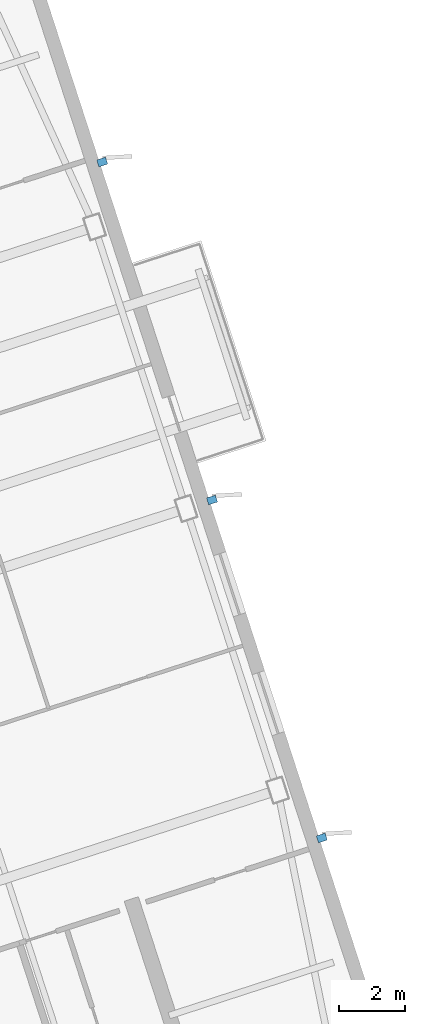
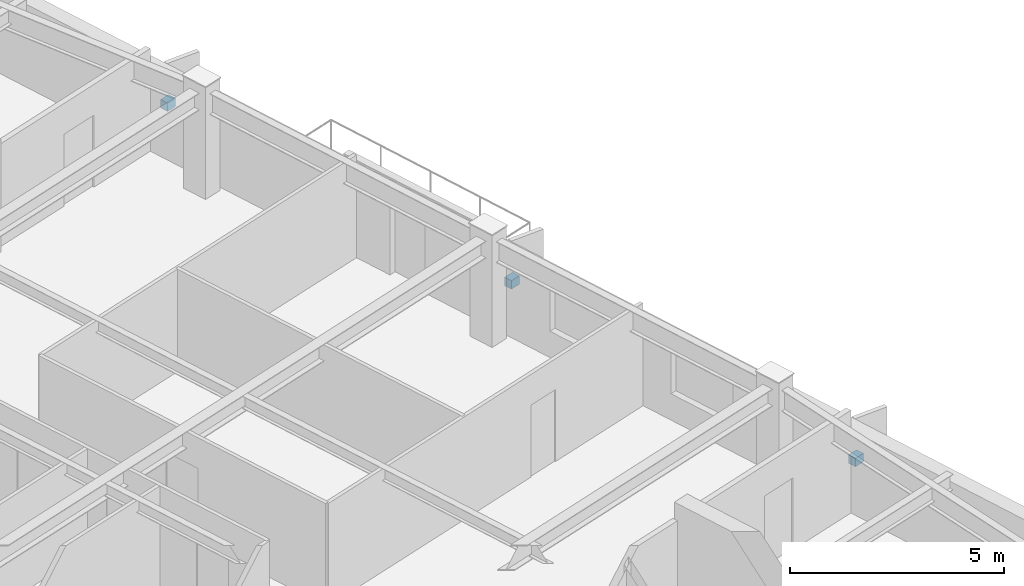
# One storey, part 12 of 17: 3 discrete accessories.
"""IFC4 building model written with IfcOpenShell, lengths in metres."""

import ifcopenshell
import ifcopenshell.guid

model = None  # the IFC model being written
_history = None  # IfcOwnerHistory: only IFC2X3 demands one
_inside = {}  # id of a spatial element -> (the spatial element, [elements in it])
_under = {}  # id of a project, library or spatial element -> (it, [spatial elements below it])
_declared = {}  # id of a project -> (the project, [libraries it declares])
_typed = {}  # id of a type object -> (the type object, [elements of that type])
_made_of = {}  # id of a material, layer set ... -> (it, [elements and type objects made of it])


def new_model(schema):
    """Start an empty IFC model of exactly this schema.

    Asked for "IFC4X3", IfcOpenShell would pick the latest addendum, in which some entities
    have other attributes; the version numbers below select the first issue.
    IFC2X3 requires an IfcOwnerHistory on every rooted entity: one is made here for all.
    """
    global model, _history
    if schema == "IFC4X3":
        model = ifcopenshell.file(schema_version=(4, 3, 0, 0))
    else:
        model = ifcopenshell.file(schema=schema)
    _inside.clear()
    _under.clear()
    _declared.clear()
    _typed.clear()
    _made_of.clear()
    _history = None
    if model.schema == "IFC2X3":
        org = make("IfcOrganization", Name="unknown")
        user = make(
            "IfcPersonAndOrganization",
            ThePerson=make("IfcPerson", FamilyName="unknown"),
            TheOrganization=org,
        )
        app = make(
            "IfcApplication",
            ApplicationDeveloper=org,
            Version="unknown",
            ApplicationFullName="unknown",
            ApplicationIdentifier="unknown",
        )
        _history = make(
            "IfcOwnerHistory",
            OwningUser=user,
            OwningApplication=app,
            ChangeAction="ADDED",
            CreationDate=0,
        )
    return model


def make(cls, **values):
    """One entity of the class cls with the attributes given. An attribute that is None is left unset."""
    return model.create_entity(
        cls, **{name: value for name, value in values.items() if value is not None}
    )


def rooted(cls, **values):
    """An entity with a GlobalId (a new one), such as an element, a storey or a relation."""
    return make(cls, GlobalId=ifcopenshell.guid.new(), OwnerHistory=_history, **values)


def si_unit(unit_type, name, prefix=None):
    """IfcSIUnit, for example si_unit("LENGTHUNIT", "METRE", prefix="MILLI")."""
    return make("IfcSIUnit", UnitType=unit_type, Prefix=prefix, Name=name)


def assignment(units):
    """IfcUnitAssignment: the units of a project."""
    return None if units is None else make("IfcUnitAssignment", Units=units)


def point(xyz):
    """IfcCartesianPoint."""
    return None if xyz is None else make("IfcCartesianPoint", Coordinates=xyz)


def direction(xyz):
    """IfcDirection."""
    return None if xyz is None else make("IfcDirection", DirectionRatios=xyz)


def frame(location, z_axis=None, x_axis=None):
    """IfcAxis2Placement3D, a coordinate frame: its origin and axes. An axis left out is left unset."""
    return make(
        "IfcAxis2Placement3D",
        Location=point(location),
        Axis=direction(z_axis),
        RefDirection=direction(x_axis),
    )


def frame_2d(location, x_axis=None):
    """IfcAxis2Placement2D, a coordinate frame in the plane: its origin and x axis."""
    return make(
        "IfcAxis2Placement2D", Location=point(location), RefDirection=direction(x_axis)
    )


def origin():
    """The frame at (0, 0, 0) with its axes left unset."""
    return frame((0.0, 0.0, 0.0))


def origin_2d():
    """The frame at (0, 0) in the plane with its x axis left unset."""
    return frame_2d((0.0, 0.0))


def place(relative_to, where):
    """IfcLocalPlacement: puts the frame where relative to a parent placement (None: the world)."""
    return make(
        "IfcLocalPlacement", PlacementRelTo=relative_to, RelativePlacement=where
    )


def context(
    kind, dimensions, precision=None, world=None, true_north=None, identifier=None
):
    """IfcGeometricRepresentationContext, for example the 3D "Model" context."""
    return make(
        "IfcGeometricRepresentationContext",
        ContextIdentifier=identifier,
        ContextType=kind,
        CoordinateSpaceDimension=dimensions,
        Precision=precision,
        WorldCoordinateSystem=world,
        TrueNorth=true_north,
    )


def subcontext(parent, identifier, kind, view, scale=None):
    """IfcGeometricRepresentationSubContext, for example "Body" below "Model"."""
    return make(
        "IfcGeometricRepresentationSubContext",
        ContextIdentifier=identifier,
        ContextType=kind,
        ParentContext=parent,
        TargetScale=scale,
        TargetView=view,
    )


def project(units=None, contexts=None):
    """IfcProject with its units and contexts."""
    return rooted(
        "IfcProject",
        Name="project",
        RepresentationContexts=contexts,
        UnitsInContext=assignment(units),
    )


def spatial(cls, under=None, at=None, **own):
    """A site, building, storey or space (cls), placed at a placement, below another one or the project."""
    s = rooted(cls, ObjectPlacement=at, **own)
    if under is not None:
        _under.setdefault(under.id(), (under, []))[1].append(s)
    return s


def profile(cls, at=None, kind="AREA", **sizes):
    """A parametric profile (cls). Its sizes go by their IFC names, for example OverallWidth=200.0."""
    return make(cls, ProfileType=kind, Position=at, **sizes)


def rectangle(**sizes):
    """IfcRectangleProfileDef."""
    return profile("IfcRectangleProfileDef", **sizes)


def extrude(swept, where, along, depth):
    """IfcExtrudedAreaSolid: the profile swept, set in the frame where, extruded along a direction by depth."""
    return make(
        "IfcExtrudedAreaSolid",
        SweptArea=swept,
        Position=where,
        ExtrudedDirection=direction(along),
        Depth=depth,
    )


def shape(context_of_items, identifier, shape_type, items):
    """IfcShapeRepresentation: the items that make up one representation, for example the "Body"."""
    return make(
        "IfcShapeRepresentation",
        ContextOfItems=context_of_items,
        RepresentationIdentifier=identifier,
        RepresentationType=shape_type,
        Items=items,
    )


def material(Name=None, Category=None):
    """IfcMaterial."""
    return make("IfcMaterial", Name=Name, Category=Category)


def made_of(thing, what):
    """Note that an element or type object is made of a material, layer set ...; save() writes the relation."""
    if what is not None:
        _made_of.setdefault(what.id(), (what, []))[1].append(thing)
    return thing


def type_object(cls, material=None, **own):
    """A type object (cls), such as IfcWallType, which elements share."""
    return made_of(rooted(cls, **own), material)


def element(
    cls,
    number,
    at=None,
    inside=None,
    cuts=None,
    type_object=None,
    material=None,
    context=None,
    identifier="Body",
    shape_type=None,
    held_by="IfcProductDefinitionShape",
    body=None,
    shapes=None,
    **own,
):
    """One element of the class cls, such as IfcWall. Its Tag is "e" and its number.

    at: its placement. inside: the storey or other place that contains it. cuts: it is an
    opening in that element (IfcRelVoidsElement). A single representation is given by context,
    identifier, shape_type and body (its items); several are given by shapes. held_by: the class
    of the entity that holds the representations. save() writes the other relations.
    """
    e = rooted(cls, Tag="e%d" % number, ObjectPlacement=at, **own)
    if body is not None:
        shapes = [shape(context, identifier, shape_type, body)]
    if shapes is not None:
        e.Representation = make(held_by, Representations=shapes)
    if inside is not None:
        _inside.setdefault(inside.id(), (inside, []))[1].append(e)
    if cuts is not None:
        rooted(
            "IfcRelVoidsElement", RelatingBuildingElement=cuts, RelatedOpeningElement=e
        )
    if type_object is not None:
        _typed.setdefault(type_object.id(), (type_object, []))[1].append(e)
    return made_of(e, material)


def aggregate(whole, parts):
    """IfcRelAggregates: a whole, such as a stair, and the parts it consists of."""
    return rooted("IfcRelAggregates", RelatingObject=whole, RelatedObjects=parts)


def save(model, path):
    """Write the relations noted so far, then the file.

    IfcRelAggregates (storeys below a building ...), IfcRelContainedInSpatialStructure (elements
    in a storey), IfcRelDefinesByType, IfcRelAssociatesMaterial and IfcRelDeclares: one each for
    every whole, place, type object, material and project.
    """
    for whole, parts in _under.values():
        aggregate(whole, parts)
    for where, things in _inside.values():
        rooted(
            "IfcRelContainedInSpatialStructure",
            RelatedElements=things,
            RelatingStructure=where,
        )
    for kind, things in _typed.values():
        rooted("IfcRelDefinesByType", RelatedObjects=things, RelatingType=kind)
    for what, things in _made_of.values():
        rooted("IfcRelAssociatesMaterial", RelatedObjects=things, RelatingMaterial=what)
    for by, libraries in _declared.values():
        rooted("IfcRelDeclares", RelatingContext=by, RelatedDefinitions=libraries)
    model.write(path)


model = new_model("IFC4")

# Units and contexts
model_context = context("Model", 3, precision=1e-05, world=origin(), true_north=direction((0.0, 1.0)))
body_context = subcontext(model_context, "Body", "Model", "MODEL_VIEW")
ifc_project = project(units=[si_unit("LENGTHUNIT", "METRE"), si_unit("AREAUNIT", "SQUARE_METRE"), si_unit("VOLUMEUNIT", "CUBIC_METRE"), si_unit("PLANEANGLEUNIT", "RADIAN"), si_unit("MASSUNIT", "GRAM", prefix="KILO")], contexts=[model_context])

# Site, building, storey
site_placement = place(None, origin())
site = spatial("IfcSite", under=ifc_project, at=site_placement, CompositionType="ELEMENT")
building_placement = place(site_placement, origin())
building = spatial("IfcBuilding", under=site, at=building_placement, Name="Qiaolan Cultural Towers", CompositionType="ELEMENT")
storey_placement = place(building_placement, frame((0.0, 0.0, 247.199951171875)))
storey = spatial("IfcBuildingStorey", under=building, at=storey_placement, Name="L67", CompositionType="ELEMENT", Elevation=247.199951171875)

# Discrete accessories
ifc_material = material(Name="Stainless Steel S31608 Facade Anchor Bracket", Category="steel")
discrete_accessory_type = type_object("IfcDiscreteAccessoryType", Name="ACC-BRK-SS", PredefinedType="BRACKET", material=ifc_material)
for number, where, z_axis, x_axis, name in (
    (1, (106.91845703125, 28.141357421875, 1.06005859375), (0.0, 0.0, 1.0), (0.951056516295, 0.309016994375, 0.0), "L67 T2 Facade Fin Anchor Bracket E1"),
    (2, (103.5810546875, 38.412841796875, 1.06005859375), (0.0, 0.0, 1.0), (0.951056516295, 0.309016994375, 0.0), "L67 T2 Facade Fin Anchor Bracket E2"),
    (3, (100.24365234375, 48.68408203125, 1.06005859375), (0.0, 0.0, 1.0), (0.951056516295, 0.309016994375, 0.0), "L67 T2 Facade Fin Anchor Bracket E3"),
):
    element("IfcDiscreteAccessory", number, at=place(storey_placement, frame(where, z_axis=z_axis, x_axis=x_axis)), inside=storey, type_object=discrete_accessory_type, Name=name, PredefinedType="BRACKET", context=body_context, shape_type="SweptSolid", body=[
        extrude(rectangle(XDim=0.280029296875, YDim=0.219970703125, at=origin_2d()), origin(), (0.0, 0.0, 1.0), 0.239990234375),
    ])

save(model, "model.ifc")
